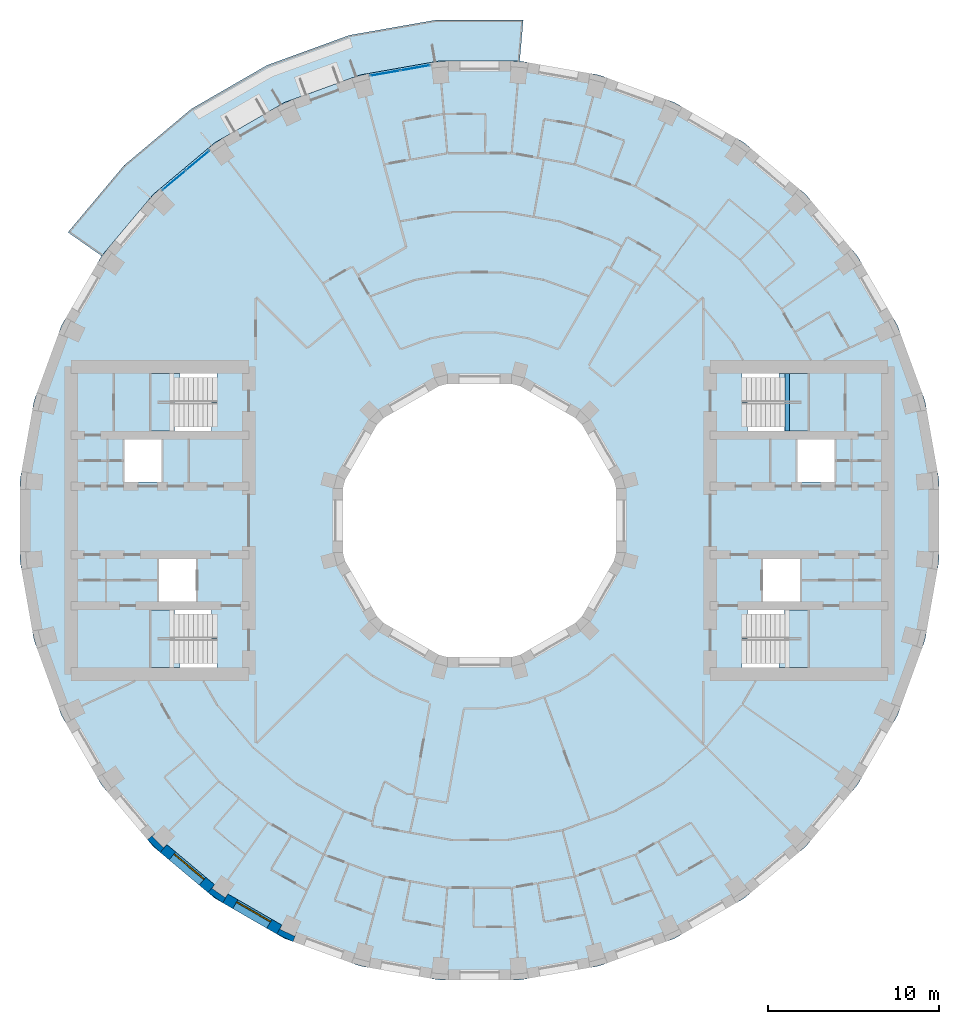
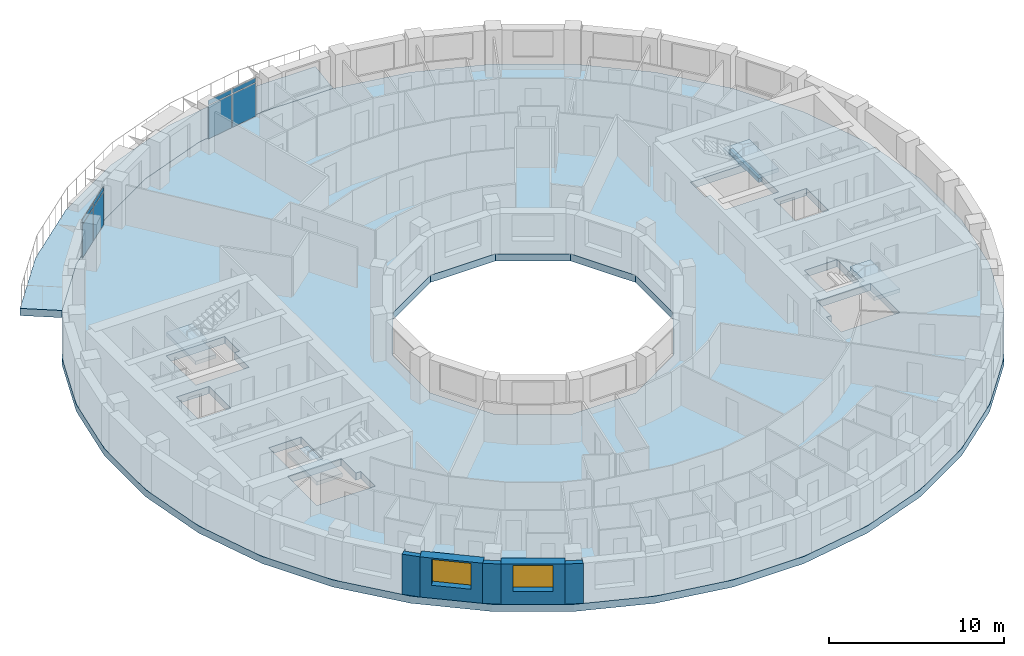
# One storey, part 3 of 14: 8 plates, 6 slabs, 5 walls, 2 windows, 1 beam, 2 openings, 6 elements without a shape of their own.
"""IFC4 building model written with IfcOpenShell, lengths in metres."""

from ifc_helpers import new_model, si_unit, direction, frame, frame_2d, origin, origin_2d, place, context, subcontext, project, spatial, polyline, rectangle, outline, extrude, material, layer, layer_set, material_profile, profile_set, type_object, element, fill, aggregate, save


model = new_model("IFC4")

# Units and contexts
model_context = context("Model", 3, precision=1e-05, world=origin(), true_north=direction((0.0, 1.0)))
body_context = subcontext(model_context, "Body", "Model", "MODEL_VIEW")
ifc_project = project(units=[si_unit("LENGTHUNIT", "METRE"), si_unit("AREAUNIT", "SQUARE_METRE"), si_unit("VOLUMEUNIT", "CUBIC_METRE"), si_unit("PLANEANGLEUNIT", "RADIAN"), si_unit("MASSUNIT", "GRAM", prefix="KILO")], contexts=[model_context])

# Site, building, storey
site_placement = place(None, origin())
site = spatial("IfcSite", under=ifc_project, at=site_placement, CompositionType="ELEMENT")
building_placement = place(site_placement, origin())
building = spatial("IfcBuilding", under=site, at=building_placement, Name="Saqina Gate Tower", CompositionType="ELEMENT")
storey_placement = place(building_placement, frame((0.0, 0.0, 95.199951171875)))
storey = spatial("IfcBuildingStorey", under=building, at=storey_placement, Name="L26", CompositionType="ELEMENT", Elevation=95.199951171875)

# Beam
ifc_material_1 = material(Name="Concrete C40/50", Category="concrete")
ifc_material_profile = material_profile(ifc_material_1, rectangle(XDim=0.25, YDim=0.300048828125, at=origin_2d()), Name="STAIR LANDING BEAM")
ifc_profile_set = profile_set([ifc_material_profile], Name="Concrete C40/50")
beam_type = type_object("IfcBeamType", Name="STAIR LANDING BEAM", PredefinedType="BEAM", material=ifc_profile_set)
beam_placement = place(storey_placement, frame((18.02001953125, 5.25, 1.25), z_axis=(0.0, 1.0, 0.0), x_axis=(-1.0, 0.0, 0.0)))
element("IfcBeam", 1, at=beam_placement, inside=storey, type_object=beam_type, Name="EXIT STAIR 1 LANDING BEAM", PredefinedType="BEAM", context=body_context, shape_type="SweptSolid", body=[
    extrude(rectangle(XDim=0.25, YDim=0.300048828125, at=origin_2d()), origin(), (0.0, 0.0, 1.0), 3.35009765625),
])

# Curtain wall, plates
ifc_material_2 = material(Name="Aluminium glazing", Category="aluminium")
ifc_layer_1 = layer(ifc_material_2, 0.159912109375)
ifc_layer_set_1 = layer_set([ifc_layer_1], Name="CWT-4")
curtain_wall_type = type_object("IfcCurtainWallType", Name="CWT-4", PredefinedType="NOTDEFINED", material=ifc_layer_set_1)
curtain_wall_1_placement = place(storey_placement, origin())
curtain_wall_1 = element("IfcCurtainWall", 2, at=curtain_wall_1_placement, inside=storey, type_object=curtain_wall_type, Name="Terrace lounge glazing facet 10", PredefinedType="NOTDEFINED")
ifc_material_3 = material(Name="Glass", Category="glass")
ifc_layer_2 = layer(ifc_material_3, 0.028076171875)
ifc_layer_set_2 = layer_set([ifc_layer_2], Name="CWT-4P")
plate_type = type_object("IfcPlateType", Name="CWT-4P", PredefinedType="CURTAIN_PANEL", material=ifc_layer_set_2)
plate_1_placement = place(storey_placement, frame((-3.76123046875, 26.49658203125, 0.06005859375), z_axis=(0.0, 0.0, 1.0), x_axis=(-0.984809489664, -0.17363832834, 0.0)))
plate_1 = element("IfcPlate", 3, at=plate_1_placement, type_object=plate_type, Name="CW4-10 panel 1.1", PredefinedType="CURTAIN_PANEL", context=body_context, shape_type="SweptSolid", body=[
    extrude(rectangle(XDim=1.73388671875, YDim=0.028076171875, at=origin_2d()), origin(), (0.0, 0.0, 1.0), 2.31005859375),
])
plate_2_placement = place(storey_placement, frame((-3.76123046875, 26.49658203125, 2.429931640625), z_axis=(0.0, 0.0, 1.0), x_axis=(-0.984809489664, -0.17363832834, 0.0)))
plate_2 = element("IfcPlate", 4, at=plate_2_placement, type_object=plate_type, Name="CW4-10 panel 1.2", PredefinedType="CURTAIN_PANEL", context=body_context, shape_type="SweptSolid", body=[
    extrude(rectangle(XDim=1.73388671875, YDim=0.028076171875, at=origin_2d()), origin(), (0.0, 0.0, 1.0), 0.31005859375),
])
plate_3_placement = place(storey_placement, frame((-5.52783203125, 26.18505859375, 0.06005859375), z_axis=(0.0, 0.0, 1.0), x_axis=(-0.984809489664, -0.17363832834, 0.0)))
plate_3 = element("IfcPlate", 5, at=plate_3_placement, type_object=plate_type, Name="CW4-10 panel 2.1", PredefinedType="CURTAIN_PANEL", context=body_context, shape_type="SweptSolid", body=[
    extrude(rectangle(XDim=1.73388671875, YDim=0.028076171875, at=origin_2d()), origin(), (0.0, 0.0, 1.0), 2.31005859375),
])
plate_4_placement = place(storey_placement, frame((-5.52783203125, 26.18505859375, 2.429931640625), z_axis=(0.0, 0.0, 1.0), x_axis=(-0.984809489664, -0.17363832834, 0.0)))
plate_4 = element("IfcPlate", 6, at=plate_4_placement, type_object=plate_type, Name="CW4-10 panel 2.2", PredefinedType="CURTAIN_PANEL", context=body_context, shape_type="SweptSolid", body=[
    extrude(rectangle(XDim=1.73388671875, YDim=0.028076171875, at=origin_2d()), origin(), (0.0, 0.0, 1.0), 0.31005859375),
])
aggregate(curtain_wall_1, [plate_1, plate_2, plate_3, plate_4])

curtain_wall_2_placement = place(storey_placement, origin())
curtain_wall_2 = element("IfcCurtainWall", 7, at=curtain_wall_2_placement, inside=storey, type_object=curtain_wall_type, Name="Terrace lounge glazing facet 13", PredefinedType="NOTDEFINED")
plate_5_placement = place(storey_placement, frame((-16.505615234375, 21.066162109375, 0.06005859375), z_axis=(0.0, 0.0, 1.0), x_axis=(-0.766041744675, -0.642790825553, 0.0)))
plate_5 = element("IfcPlate", 8, at=plate_5_placement, type_object=plate_type, Name="CW4-13 panel 1.1", PredefinedType="CURTAIN_PANEL", context=body_context, shape_type="SweptSolid", body=[
    extrude(rectangle(XDim=1.73388671875, YDim=0.028076171875, at=origin_2d()), origin(), (0.0, 0.0, 1.0), 2.31005859375),
])
plate_6_placement = place(storey_placement, frame((-16.505615234375, 21.066162109375, 2.429931640625), z_axis=(0.0, 0.0, 1.0), x_axis=(-0.766041744675, -0.642790825553, 0.0)))
plate_6 = element("IfcPlate", 9, at=plate_6_placement, type_object=plate_type, Name="CW4-13 panel 1.2", PredefinedType="CURTAIN_PANEL", context=body_context, shape_type="SweptSolid", body=[
    extrude(rectangle(XDim=1.73388671875, YDim=0.028076171875, at=origin_2d()), origin(), (0.0, 0.0, 1.0), 0.31005859375),
])
plate_7_placement = place(storey_placement, frame((-17.8798828125, 19.9130859375, 0.06005859375), z_axis=(0.0, 0.0, 1.0), x_axis=(-0.766041744675, -0.642790825553, 0.0)))
plate_7 = element("IfcPlate", 10, at=plate_7_placement, type_object=plate_type, Name="CW4-13 panel 2.1", PredefinedType="CURTAIN_PANEL", context=body_context, shape_type="SweptSolid", body=[
    extrude(rectangle(XDim=1.73388671875, YDim=0.028076171875, at=origin_2d()), origin(), (0.0, 0.0, 1.0), 2.31005859375),
])
plate_8_placement = place(storey_placement, frame((-17.8798828125, 19.9130859375, 2.429931640625), z_axis=(0.0, 0.0, 1.0), x_axis=(-0.766041744675, -0.642790825553, 0.0)))
plate_8 = element("IfcPlate", 11, at=plate_8_placement, type_object=plate_type, Name="CW4-13 panel 2.2", PredefinedType="CURTAIN_PANEL", context=body_context, shape_type="SweptSolid", body=[
    extrude(rectangle(XDim=1.73388671875, YDim=0.028076171875, at=origin_2d()), origin(), (0.0, 0.0, 1.0), 0.31005859375),
])
aggregate(curtain_wall_2, [plate_5, plate_6, plate_7, plate_8])

# Stair, slab
ifc_material_4 = material(Name="Concrete C40/50", Category="concrete")
stair_type = type_object("IfcStairType", Name="EXIT STAIR", PredefinedType="HALF_TURN_STAIR", material=ifc_material_4)
stair_1_placement = place(storey_placement, origin())
stair_1 = element("IfcStair", 12, at=stair_1_placement, inside=storey, type_object=stair_type, Name="EXIT STAIR 1", PredefinedType="HALF_TURN_STAIR")
ifc_material_5 = material(Name="Concrete C40/50", Category="concrete")
ifc_layer_3 = layer(ifc_material_5, 0.25)
ifc_layer_set_3 = layer_set([ifc_layer_3], Name="Concrete C40/50")
slab_type_1 = type_object("IfcSlabType", Name="EXIT STAIR LANDING", PredefinedType="LANDING", material=ifc_layer_set_3)
slab_1_placement = place(storey_placement, frame((0.0, 0.0, 1.400146484375)))
slab_1 = element("IfcSlab", 13, at=slab_1_placement, type_object=slab_type_1, Name="EXIT STAIR 1 LANDING 1", PredefinedType="LANDING", context=body_context, shape_type="SweptSolid", body=[
    extrude(outline(polyline([(19.219970703125, 8.60009765625), (19.219970703125, 5.25), (17.864990234375, 5.25), (17.864990234375, 6.925048828125), (17.534423828125, 6.925048828125), (17.534423828125, 8.60009765625), (17.864990234375, 8.60009765625), (17.8701171875, 8.60009765625), (19.219970703125, 8.60009765625)])), origin(), (0.0, 0.0, 1.0), 0.25),
])
aggregate(stair_1, [slab_1])

stair_2_placement = place(storey_placement, origin())
stair_2 = element("IfcStair", 14, at=stair_2_placement, inside=storey, type_object=stair_type, Name="EXIT STAIR 2", PredefinedType="HALF_TURN_STAIR")
slab_2_placement = place(storey_placement, frame((0.0, 0.0, 1.400146484375)))
slab_2 = element("IfcSlab", 15, at=slab_2_placement, type_object=slab_type_1, Name="EXIT STAIR 2 LANDING 1", PredefinedType="LANDING", context=body_context, shape_type="SweptSolid", body=[
    extrude(outline(polyline([(17.534423828125, -8.60009765625), (17.534423828125, -6.925048828125), (17.864990234375, -6.925048828125), (17.864990234375, -5.25), (19.219970703125, -5.25), (19.219970703125, -8.60009765625), (17.8701171875, -8.60009765625), (17.864990234375, -8.60009765625), (17.534423828125, -8.60009765625)])), origin(), (0.0, 0.0, 1.0), 0.25),
])
aggregate(stair_2, [slab_2])

stair_3_placement = place(storey_placement, origin())
stair_3 = element("IfcStair", 16, at=stair_3_placement, inside=storey, type_object=stair_type, Name="EXIT STAIR 3", PredefinedType="HALF_TURN_STAIR")
slab_3_placement = place(storey_placement, frame((0.0, 0.0, 1.400146484375)))
slab_3 = element("IfcSlab", 17, at=slab_3_placement, type_object=slab_type_1, Name="EXIT STAIR 3 LANDING 1", PredefinedType="LANDING", context=body_context, shape_type="SweptSolid", body=[
    extrude(outline(polyline([(-17.864990234375, 5.25), (-19.219970703125, 5.25), (-19.219970703125, 8.60009765625), (-17.8701171875, 8.60009765625), (-17.864990234375, 8.60009765625), (-17.534423828125, 8.60009765625), (-17.534423828125, 6.925048828125), (-17.864990234375, 6.925048828125), (-17.864990234375, 5.25)])), origin(), (0.0, 0.0, 1.0), 0.25),
])
aggregate(stair_3, [slab_3])

stair_4_placement = place(storey_placement, origin())
stair_4 = element("IfcStair", 18, at=stair_4_placement, inside=storey, type_object=stair_type, Name="EXIT STAIR 4", PredefinedType="HALF_TURN_STAIR")
slab_4_placement = place(storey_placement, frame((0.0, 0.0, 1.400146484375)))
slab_4 = element("IfcSlab", 19, at=slab_4_placement, type_object=slab_type_1, Name="EXIT STAIR 4 LANDING 1", PredefinedType="LANDING", context=body_context, shape_type="SweptSolid", body=[
    extrude(outline(polyline([(-17.534423828125, -6.925048828125), (-17.534423828125, -8.60009765625), (-17.864990234375, -8.60009765625), (-17.8701171875, -8.60009765625), (-19.219970703125, -8.60009765625), (-19.219970703125, -5.25), (-17.864990234375, -5.25), (-17.864990234375, -6.925048828125), (-17.534423828125, -6.925048828125)])), origin(), (0.0, 0.0, 1.0), 0.25),
])
aggregate(stair_4, [slab_4])

# Slabs
ifc_material_6 = material(Name="Concrete C40/50", Category="concrete")
ifc_layer_4 = layer(ifc_material_6, 0.5)
ifc_layer_set_4 = layer_set([ifc_layer_4], Name="Concrete C40/50")
slab_type_2 = type_object("IfcSlabType", Name="STR-POST-TENSIONED FLAT PLATE FLOOR-500", PredefinedType="FLOOR", material=ifc_layer_set_4)
slab_5_placement = place(storey_placement, frame((0.0, 0.0, -0.5)))
element("IfcSlab", 20, at=slab_5_placement, inside=storey, type_object=slab_type_2, Name="L26-SLB01", PredefinedType="FLOOR", context=body_context, shape_type="SweptSolid", body=[
    extrude(outline(polyline([(26.080078125, -6.988037109375), (26.897216796875, -2.353271484375), (26.897216796875, 2.353271484375), (26.080078125, 6.988037109375), (24.47021484375, 11.41064453125), (22.1171875, 15.486572265625), (19.091796875, 19.091796875), (15.486572265625, 22.1171875), (11.41064453125, 24.47021484375), (6.988037109375, 26.080078125), (2.353271484375, 26.897216796875), (-2.353271484375, 26.897216796875), (-6.988037109375, 26.080078125), (-11.41064453125, 24.47021484375), (-15.486572265625, 22.1171875), (-19.091796875, 19.091796875), (-22.1171875, 15.486572265625), (-24.47021484375, 11.41064453125), (-26.080078125, 6.988037109375), (-26.897216796875, 2.353271484375), (-26.897216796875, -2.353271484375), (-26.080078125, -6.988037109375), (-24.47021484375, -11.41064453125), (-22.1171875, -15.486572265625), (-19.091796875, -19.091796875), (-15.486572265625, -22.1171875), (-11.41064453125, -24.47021484375), (-6.988037109375, -26.080078125), (-2.353271484375, -26.897216796875), (2.353271484375, -26.897216796875), (6.988037109375, -26.080078125), (11.41064453125, -24.47021484375), (15.486572265625, -22.1171875), (19.091796875, -19.091796875), (22.1171875, -15.486572265625), (24.47021484375, -11.41064453125), (26.080078125, -6.988037109375)]), holes=[polyline([(2.1435546875, 8.0), (5.8564453125, 5.8564453125), (8.0, 2.1435546875), (8.0, -2.1435546875), (5.8564453125, -5.8564453125), (2.1435546875, -8.0), (-2.1435546875, -8.0), (-5.8564453125, -5.8564453125), (-8.0, -2.1435546875), (-8.0, 2.1435546875), (-5.8564453125, 5.8564453125), (-2.1435546875, 8.0), (2.1435546875, 8.0)]), polyline([(-15.35498046875, -8.60009765625), (-19.219970703125, -8.60009765625), (-19.219970703125, -6.925048828125), (-19.219970703125, -5.25), (-15.685546875, -5.25), (-15.685546875, -6.925048828125), (-15.35498046875, -6.925048828125), (-15.35498046875, -8.60009765625)]), polyline([(-16.590087890625, -2.25), (-16.590087890625, -4.75), (-18.75, -4.75), (-18.75, -2.25), (-16.590087890625, -2.25)]), polyline([(-20.780029296875, 4.75), (-18.6201171875, 4.75), (-18.6201171875, 2.25), (-20.780029296875, 2.25), (-20.780029296875, 4.75)]), polyline([(-19.219970703125, 6.925048828125), (-19.219970703125, 8.60009765625), (-15.35498046875, 8.60009765625), (-15.35498046875, 6.925048828125), (-15.685546875, 6.925048828125), (-15.685546875, 5.25), (-19.219970703125, 5.25), (-19.219970703125, 6.925048828125)]), polyline([(15.35498046875, -8.60009765625), (15.35498046875, -6.925048828125), (15.685546875, -6.925048828125), (15.685546875, -5.25), (19.219970703125, -5.25), (19.219970703125, -6.925048828125), (19.219970703125, -8.60009765625), (15.35498046875, -8.60009765625)]), polyline([(18.75, -2.25), (18.75, -4.75), (16.590087890625, -4.75), (16.590087890625, -2.25), (18.75, -2.25)]), polyline([(18.6201171875, 4.75), (20.780029296875, 4.75), (20.780029296875, 2.25), (18.6201171875, 2.25), (18.6201171875, 4.75)]), polyline([(15.685546875, 6.925048828125), (15.35498046875, 6.925048828125), (15.35498046875, 8.60009765625), (19.219970703125, 8.60009765625), (19.219970703125, 6.925048828125), (19.219970703125, 5.25), (15.685546875, 5.25), (15.685546875, 6.925048828125)])]), origin(), (0.0, 0.0, 1.0), 0.5),
])
ifc_material_7 = material(Name="Concrete C40/50", Category="concrete")
ifc_layer_5 = layer(ifc_material_7, 0.5)
ifc_layer_set_5 = layer_set([ifc_layer_5], Name="Concrete C40/50")
slab_type_3 = type_object("IfcSlabType", Name="STR-POST-TENSIONED FLAT PLATE TERRACE-500", PredefinedType="FLOOR", material=ifc_layer_set_5)
slab_6_placement = place(storey_placement, frame((0.0, 0.0, -0.5)))
element("IfcSlab", 21, at=slab_6_placement, inside=storey, type_object=slab_type_3, Name="L26-TRS01", PredefinedType="FLOOR", context=body_context, shape_type="SweptSolid", body=[
    extrude(outline(polyline([(2.353271484375, 26.897216796875), (-2.353271484375, 26.897216796875), (-6.988037109375, 26.080078125), (-11.41064453125, 24.47021484375), (-15.486572265625, 22.1171875), (-19.091796875, 19.091796875), (-22.1171875, 15.486572265625), (-24.090576171875, 16.868408203125), (-20.79541015625, 20.79541015625), (-16.868408203125, 24.090576171875), (-12.428955078125, 26.65380859375), (-7.611572265625, 28.406982421875), (-2.563232421875, 29.29736328125), (2.563232421875, 29.29736328125), (2.353271484375, 26.897216796875)])), origin(), (0.0, 0.0, 1.0), 0.5),
])

# Walls
ifc_material_8 = material(Name="Brick masonry (buff)", Category="masonry")
wall_type_1 = type_object("IfcWallType", Name="BRICK PIER COPING BUFF", PredefinedType="SOLIDWALL", material=ifc_material_8)
wall_1_placement = place(storey_placement, origin())
element("IfcWall", 22, at=wall_1_placement, inside=storey, type_object=wall_type_1, Name="Pier cap L26 column 23", PredefinedType="SOLIDWALL", context=body_context, shape_type="SweptSolid", body=[
    extrude(outline(polyline([(-19.43212890625, -18.686279296875), (-18.686279296875, -19.43212890625), (-18.30078125, -18.972412109375), (-18.49072265625, -19.16259765625), (-19.16259765625, -18.49072265625), (-18.972412109375, -18.30078125), (-19.43212890625, -18.686279296875)])), origin(), (0.0, 0.0, 1.0), 2.800048828125),
])
wall_2_placement = place(storey_placement, origin())
element("IfcWall", 23, at=wall_2_placement, inside=storey, type_object=wall_type_1, Name="Pier cap L26 column 24", PredefinedType="SOLIDWALL", context=body_context, shape_type="SweptSolid", body=[
    extrude(outline(polyline([(-15.0283203125, -22.3818359375), (-14.728271484375, -21.862060546875), (-14.88232421875, -22.08251953125), (-15.66064453125, -21.53759765625), (-15.50634765625, -21.317138671875), (-15.89208984375, -21.77685546875), (-15.0283203125, -22.3818359375)])), origin(), (0.0, 0.0, 1.0), 2.800048828125),
])
wall_3_placement = place(storey_placement, origin())
element("IfcWall", 24, at=wall_3_placement, inside=storey, type_object=wall_type_1, Name="Pier cap L26 column 25", PredefinedType="SOLIDWALL", context=body_context, shape_type="SweptSolid", body=[
    extrude(outline(polyline([(-10.913330078125, -24.6513671875), (-10.7080078125, -24.08740234375), (-10.82177734375, -24.331298828125), (-11.6826171875, -23.9296875), (-11.569091796875, -23.68603515625), (-11.869140625, -24.205810546875), (-10.913330078125, -24.6513671875)])), origin(), (0.0, 0.0, 1.0), 2.800048828125),
])

# Wall, opening, window
ifc_material_9 = material(Name="Brick masonry (buff)", Category="masonry")
ifc_layer_6 = layer(ifc_material_9, 0.60009765625)
ifc_layer_set_6 = layer_set([ifc_layer_6], Name="FW-BRICK-BUFF")
wall_type_2 = type_object("IfcWallType", Name="FW-BRICK-BUFF", PredefinedType="SOLIDWALL", material=ifc_layer_set_6)
wall_4_placement = place(storey_placement, frame((-18.49365234375, -19.202392578125, 0.0), z_axis=(0.0, 0.0, 1.0), x_axis=(0.766055462616, -0.642774476932, 0.0)))
wall_4 = element("IfcWall", 25, at=wall_4_placement, inside=storey, type_object=wall_type_2, Name="Facade wall L26 facet 23", PredefinedType="SOLIDWALL", context=body_context, shape_type="SweptSolid", body=[
    extrude(rectangle(XDim=3.647705078125, YDim=0.60009765625, at=frame_2d((1.82373046875, 0.0))), origin(), (0.0, 0.0, 1.0), 2.800048828125),
])
opening_1_placement = place(wall_4_placement, frame((0.673828125, 0.0, 0.89990234375)))
opening_1 = element("IfcOpeningElement", 26, at=opening_1_placement, cuts=wall_4, Name="Opening G07-W12", PredefinedType="OPENING", context=body_context, shape_type="SweptSolid", body=[
    extrude(rectangle(XDim=2.300048828125, YDim=1.800048828125, at=frame_2d((1.14990234375, 0.89990234375))), frame((0.0, 0.31201171875, 0.0), z_axis=(0.0, -1.0, 0.0), x_axis=(1.0, 0.0, 0.0)), (0.0, 0.0, 1.0), 0.6240234375),
])
ifc_material_10 = material(Name="Aluminium glazing", Category="aluminium")
window_type = type_object("IfcWindowType", Name="WN-B", PartitioningType="SINGLE_PANEL", PredefinedType="WINDOW", material=ifc_material_10)
window_1_placement = place(opening_1_placement, origin())
window_1 = element("IfcWindow", 27, at=window_1_placement, inside=storey, type_object=window_type, Name="Window L26 facet 23", OverallHeight=1.800048828125, OverallWidth=2.300048828125, PartitioningType="SINGLE_PANEL", PredefinedType="WINDOW", context=body_context, shape_type="SweptSolid", body=[
    extrude(rectangle(XDim=2.300048828125, YDim=1.800048828125, at=frame_2d((1.14990234375, 0.89990234375))), frame((0.0, 0.179931640625, 0.0), z_axis=(0.0, -1.0, 0.0), x_axis=(1.0, 0.0, 0.0)), (0.0, 0.0, 1.0), 0.06005859375),
])
fill(opening_1, window_1)

wall_5_placement = place(storey_placement, frame((-14.878173828125, -22.1220703125, 0.0), z_axis=(0.0, 0.0, 1.0), x_axis=(0.866051847062, -0.499954196102, 0.0)))
wall_5 = element("IfcWall", 28, at=wall_5_placement, inside=storey, type_object=wall_type_2, Name="Facade wall L26 facet 24", PredefinedType="SOLIDWALL", context=body_context, shape_type="SweptSolid", body=[
    extrude(rectangle(XDim=3.647705078125, YDim=0.60009765625, at=frame_2d((1.82373046875, 0.0))), origin(), (0.0, 0.0, 1.0), 2.800048828125),
])
opening_2_placement = place(wall_5_placement, frame((0.673828125, 0.0, 0.89990234375)))
opening_2 = element("IfcOpeningElement", 29, at=opening_2_placement, cuts=wall_5, Name="Opening G07-W13", PredefinedType="OPENING", context=body_context, shape_type="SweptSolid", body=[
    extrude(rectangle(XDim=2.300048828125, YDim=1.800048828125, at=frame_2d((1.14990234375, 0.89990234375))), frame((0.0, 0.31201171875, 0.0), z_axis=(0.0, -1.0, 0.0), x_axis=(1.0, 0.0, 0.0)), (0.0, 0.0, 1.0), 0.6240234375),
])
window_2_placement = place(opening_2_placement, origin())
window_2 = element("IfcWindow", 30, at=window_2_placement, inside=storey, type_object=window_type, Name="Window L26 facet 24", OverallHeight=1.800048828125, OverallWidth=2.300048828125, PartitioningType="SINGLE_PANEL", PredefinedType="WINDOW", context=body_context, shape_type="SweptSolid", body=[
    extrude(rectangle(XDim=2.300048828125, YDim=1.800048828125, at=frame_2d((1.14990234375, 0.89990234375))), frame((0.0, 0.179931640625, 0.0), z_axis=(0.0, -1.0, 0.0), x_axis=(1.0, 0.0, 0.0)), (0.0, 0.0, 1.0), 0.06005859375),
])
fill(opening_2, window_2)

save(model, "model.ifc")
